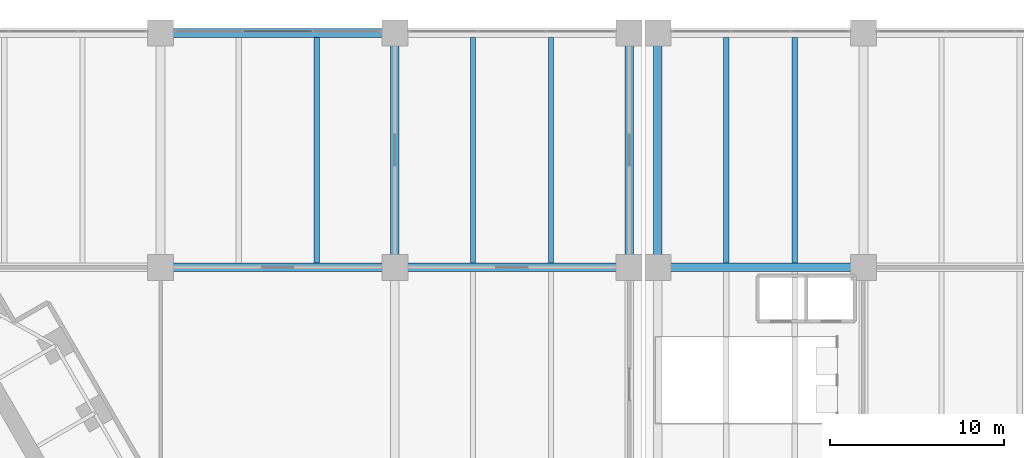
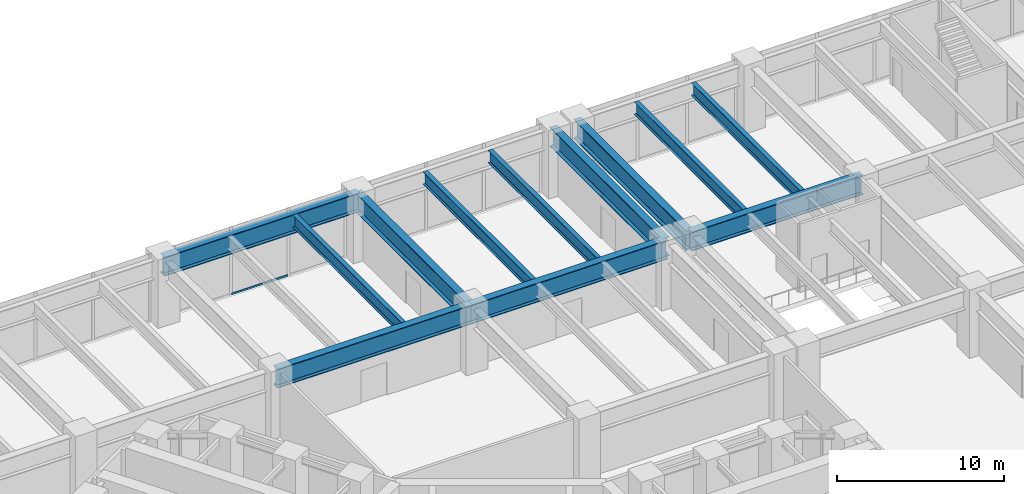
# One storey, part 14 of 31: 12 beams, 1 member, 1 element without a shape of its own.
"""IFC4 building model written with IfcOpenShell, lengths in metres."""

from ifc_helpers import new_model, si_unit, direction, frame, origin, origin_2d, place, context, subcontext, project, spatial, rectangle, i_section, extrude, material, material_profile, profile_set, type_object, element, aggregate, save


model = new_model("IFC4")

# Units and contexts
model_context = context("Model", 3, precision=1e-05, world=origin(), true_north=direction((0.0, 1.0)))
body_context = subcontext(model_context, "Body", "Model", "MODEL_VIEW")
ifc_project = project(units=[si_unit("LENGTHUNIT", "METRE"), si_unit("AREAUNIT", "SQUARE_METRE"), si_unit("VOLUMEUNIT", "CUBIC_METRE"), si_unit("PLANEANGLEUNIT", "RADIAN"), si_unit("MASSUNIT", "GRAM", prefix="KILO")], contexts=[model_context])

# Site, building, storey
site_placement = place(None, origin())
site = spatial("IfcSite", under=ifc_project, at=site_placement, CompositionType="ELEMENT")
building_placement = place(site_placement, origin())
building = spatial("IfcBuilding", under=site, at=building_placement, Name="Upepo Twin Towers", CompositionType="ELEMENT")
storey_placement = place(building_placement, frame((0.0, 0.0, 15.5)))
storey = spatial("IfcBuildingStorey", under=building, at=storey_placement, Name="L03", CompositionType="ELEMENT", Elevation=15.5)

# Beams
ifc_material_1 = material(Name="Steel S355", Category="steel")
ifc_material_profile_1 = material_profile(ifc_material_1, i_section(OverallWidth=0.5, OverallDepth=1.39990234375, WebThickness=0.02490234375, FlangeThickness=0.050048828125, FilletRadius=0.008056640625, at=origin_2d()), Name="PG 1400x500x25x50")
ifc_profile_set_1 = profile_set([ifc_material_profile_1], Name="Steel S355")
beam_type_1 = type_object("IfcBeamType", Name="Beam PG 1400x500x25x50", PredefinedType="BEAM", material=ifc_profile_set_1)
for number, where, z_axis, x_axis, name in (
    (1, (0.0, 27.0, 3.949951171875), (1.0, 0.0, 0.0), (0.0, 1.0, 0.0), "Podium girder F/3-4"),
    (2, (13.5, 27.0, 3.949951171875), (1.0, 0.0, 0.0), (0.0, 1.0, 0.0), "Podium girder F/4-5"),
):
    element("IfcBeam", number, at=place(storey_placement, frame(where, z_axis=z_axis, x_axis=x_axis)), inside=storey, type_object=beam_type_1, Name=name, PredefinedType="BEAM", context=body_context, shape_type="SweptSolid", body=[
        extrude(i_section(OverallWidth=0.5, OverallDepth=1.39990234375, WebThickness=0.02490234375, FlangeThickness=0.050048828125, FilletRadius=0.008056640625, at=origin_2d()), origin(), (0.0, 0.0, 1.0), 13.5),
    ])
beam_placement = place(storey_placement, frame((28.64990234375, 27.0, 3.949951171875), z_axis=(1.0, 0.0, 0.0), x_axis=(0.0, 1.0, 0.0)))
element("IfcBeam", 3, at=beam_placement, inside=storey, type_object=beam_type_1, Name="Podium girder F/5a-6", PredefinedType="BEAM", context=body_context, shape_type="SweptSolid", body=[
    extrude(i_section(OverallWidth=0.5, OverallDepth=1.39990234375, WebThickness=0.02490234375, FlangeThickness=0.050048828125, FilletRadius=0.008056640625, at=origin_2d()), origin(), (0.0, 0.0, 1.0), 11.85009765625),
])
for number, where, z_axis, x_axis, name in (
    (4, (0.0, 40.5, 3.949951171875), (1.0, 0.0, 0.0), (0.0, 1.0, 0.0), "Podium girder G/3-4"),
    (5, (13.5, 27.0, 3.949951171875), (0.0, 1.0, 0.0), (-1.0, 0.0, 0.0), "Podium girder 4/F-G"),
    (6, (27.0, 27.0, 3.949951171875), (0.0, 1.0, 0.0), (-1.0, 0.0, 0.0), "Podium girder 5/F-G"),
    (7, (28.64990234375, 27.0, 3.949951171875), (0.0, 1.0, 0.0), (-1.0, 0.0, 0.0), "Podium girder 5a/F-G"),
):
    element("IfcBeam", number, at=place(storey_placement, frame(where, z_axis=z_axis, x_axis=x_axis)), inside=storey, type_object=beam_type_1, Name=name, PredefinedType="BEAM", context=body_context, shape_type="SweptSolid", body=[
        extrude(i_section(OverallWidth=0.5, OverallDepth=1.39990234375, WebThickness=0.02490234375, FlangeThickness=0.050048828125, FilletRadius=0.008056640625, at=origin_2d()), origin(), (0.0, 0.0, 1.0), 13.5),
    ])
ifc_material_2 = material(Name="Steel S355", Category="steel")
ifc_material_profile_2 = material_profile(ifc_material_2, i_section(OverallWidth=0.305419921875, OverallDepth=0.91845703125, WebThickness=0.017333984375, FlangeThickness=0.02783203125, FilletRadius=0.01904296875, at=origin_2d()), Name="UB 914x305x253")
ifc_profile_set_2 = profile_set([ifc_material_profile_2], Name="Steel S355")
beam_type_2 = type_object("IfcBeamType", Name="Secondary beam UB 914x305x253", PredefinedType="JOIST", material=ifc_profile_set_2)
for number, where, z_axis, x_axis, name in (
    (8, (9.0, 27.25, 4.19091796875), (0.0, 1.0, 0.0), (-1.0, 0.0, 0.0), "Podium secondary beam F3.2"),
    (9, (18.0, 27.25, 4.19091796875), (0.0, 1.0, 0.0), (-1.0, 0.0, 0.0), "Podium secondary beam F4.1"),
    (10, (22.5, 27.25, 4.19091796875), (0.0, 1.0, 0.0), (-1.0, 0.0, 0.0), "Podium secondary beam F4.2"),
    (11, (32.60009765625, 27.25, 4.19091796875), (0.0, 1.0, 0.0), (-1.0, 0.0, 0.0), "Podium secondary beam F5a.1"),
    (12, (36.550048828125, 27.25, 4.19091796875), (0.0, 1.0, 0.0), (-1.0, 0.0, 0.0), "Podium secondary beam F5a.2"),
):
    element("IfcBeam", number, at=place(storey_placement, frame(where, z_axis=z_axis, x_axis=x_axis)), inside=storey, type_object=beam_type_2, Name=name, PredefinedType="JOIST", context=body_context, shape_type="SweptSolid", body=[
        extrude(i_section(OverallWidth=0.305419921875, OverallDepth=0.91845703125, WebThickness=0.017333984375, FlangeThickness=0.02783203125, FilletRadius=0.01904296875, at=origin_2d()), origin(), (0.0, 0.0, 1.0), 13.0),
    ])

# Curtain wall, member
ifc_material_3 = material(Name="Aluminium and clear glass", Category="aluminium")
curtain_wall_type = type_object("IfcCurtainWallType", Name="Podium curtain wall PW1", PredefinedType="NOTDEFINED", material=ifc_material_3)
curtain_wall_placement = place(storey_placement, origin())
curtain_wall = element("IfcCurtainWall", 13, at=curtain_wall_placement, inside=storey, type_object=curtain_wall_type, Name="Podium L03 curtain wall N7", PredefinedType="NOTDEFINED")
ifc_material_4 = material(Name="Aluminium transom", Category="aluminium")
ifc_material_profile_3 = material_profile(ifc_material_4, rectangle(XDim=0.06494140625, YDim=0.14990234375, at=origin_2d()), Name="TRANSOM 65x150 PODIUM")
ifc_profile_set_3 = profile_set([ifc_material_profile_3], Name="Aluminium transom")
member_type = type_object("IfcMemberType", Name="Transom 65x150 PW1", PredefinedType="USERDEFINED", material=ifc_profile_set_3)
member_placement = place(storey_placement, frame((8.705810546875, 40.60009765625, 0.074951171875), z_axis=(-1.0, 0.0, 0.0), x_axis=(0.0, -1.0, 0.0)))
member = element("IfcMember", 14, at=member_placement, type_object=member_type, Name="Podium L03 curtain wall N7 transom 2", ObjectType="TRANSOM", PredefinedType="USERDEFINED", context=body_context, shape_type="SweptSolid", body=[
    extrude(rectangle(XDim=0.06494140625, YDim=0.14990234375, at=origin_2d()), origin(), (0.0, 0.0, 1.0), 3.91162109375),
])
aggregate(curtain_wall, [member])

save(model, "model.ifc")
